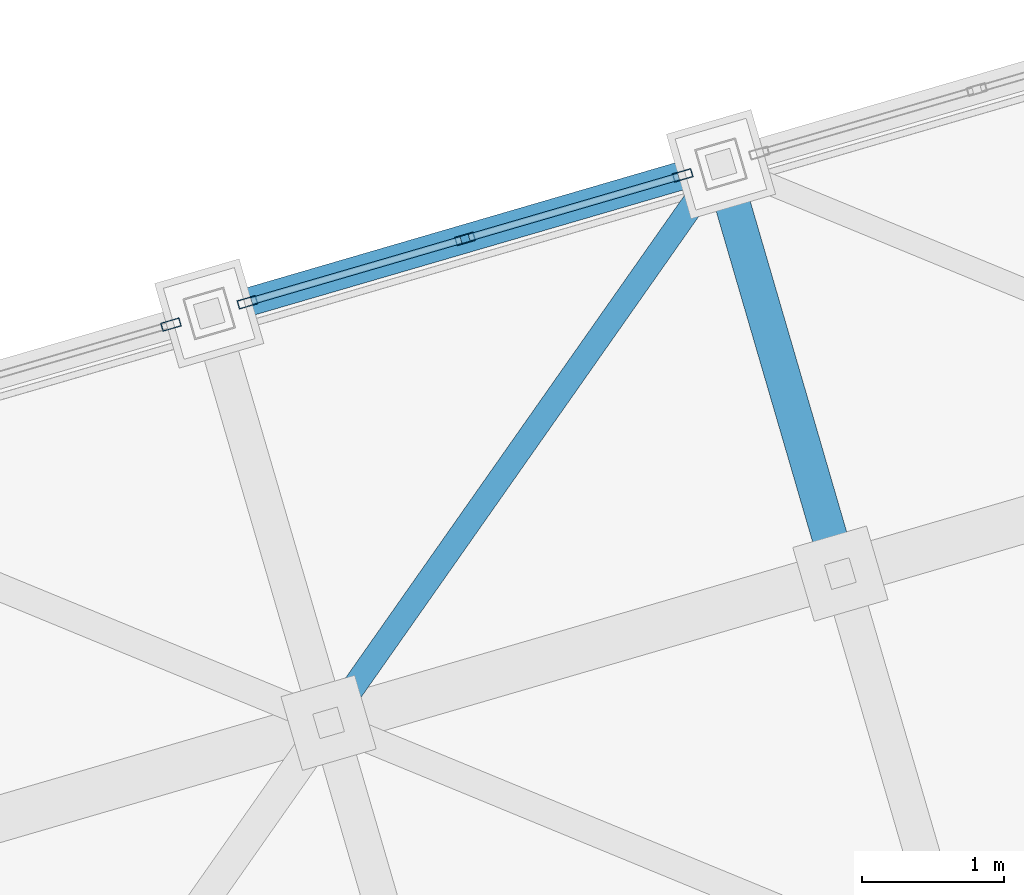
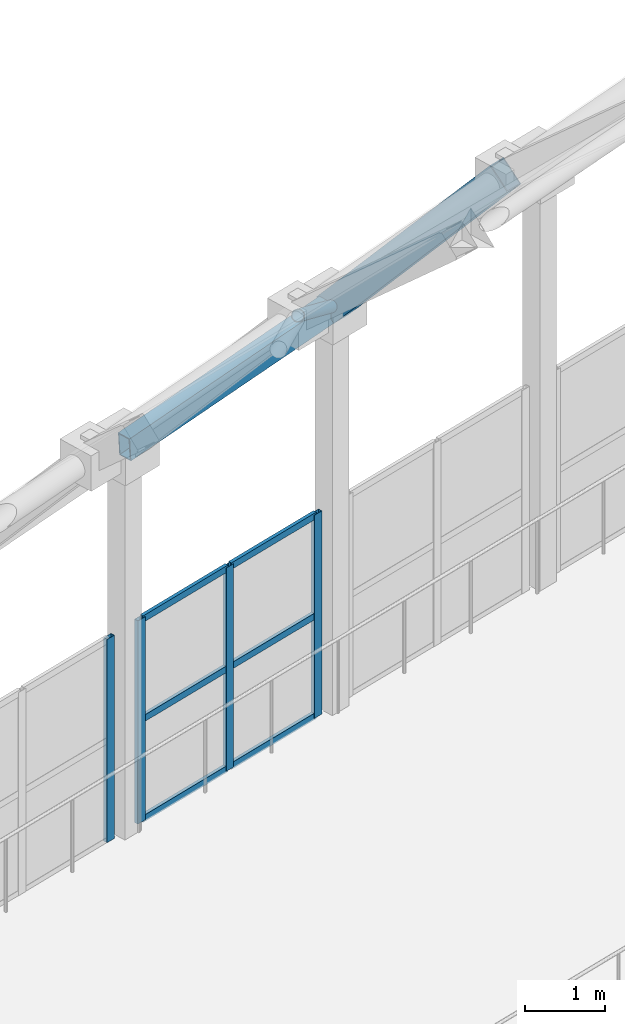
# One storey, part 117 of 248: 11 members, 2 beams, 2 elements without a shape of their own.
"""IFC4 building model written with IfcOpenShell, lengths in metres."""

from ifc_helpers import new_model, si_unit, direction, frame, origin, origin_2d, place, context, subcontext, project, spatial, hollow_rectangle, hollow_circle, extrude, material, layer, layer_set, material_profile, profile_set, type_object, element, aggregate, save


model = new_model("IFC4")

# Units and contexts
model_context = context("Model", 3, precision=1e-05, world=origin(), true_north=direction((0.0, 1.0)))
body_context = subcontext(model_context, "Body", "Model", "MODEL_VIEW")
ifc_project = project(units=[si_unit("LENGTHUNIT", "METRE"), si_unit("AREAUNIT", "SQUARE_METRE"), si_unit("VOLUMEUNIT", "CUBIC_METRE"), si_unit("PLANEANGLEUNIT", "RADIAN"), si_unit("MASSUNIT", "GRAM", prefix="KILO")], contexts=[model_context])

# Site, building, storey
site_placement = place(None, origin())
site = spatial("IfcSite", under=ifc_project, at=site_placement, CompositionType="ELEMENT")
building_placement = place(site_placement, origin())
building = spatial("IfcBuilding", under=site, at=building_placement, Name="Canggui Botanical Conservatory", CompositionType="ELEMENT")
storey_placement = place(building_placement, frame((0.0, 0.0, 5.39990234375)))
storey = spatial("IfcBuildingStorey", under=building, at=storey_placement, Name="L02", CompositionType="ELEMENT", Elevation=5.39990234375)

# Beams
ifc_material_1 = material(Name="Steel Q355C", Category="steel")
ifc_material_profile_1 = material_profile(ifc_material_1, hollow_rectangle(XDim=0.25, YDim=0.39990234375, WallThickness=0.013916015625, at=origin_2d()), Name="RHS 250x400x14")
ifc_profile_set_1 = profile_set([ifc_material_profile_1], Name="Steel Q355C")
beam_type_1 = type_object("IfcBeamType", Name="BM-GJ03", PredefinedType="BEAM", material=ifc_profile_set_1)
beam_1_placement = place(storey_placement, frame((48.43994140625, 78.419921875, 9.55615234375), z_axis=(-0.183510350266, 0.62932314014, -0.755166429755), x_axis=(-0.960017315421, -0.279940626011, 0.0)))
element("IfcBeam", 1, at=beam_1_placement, inside=storey, type_object=beam_type_1, Name="Conservatory Stepped-Arch Rib GJ-11 Segment 10", PredefinedType="BEAM", context=body_context, shape_type="SweptSolid", body=[
    extrude(hollow_rectangle(XDim=0.25, YDim=0.39990234375, WallThickness=0.013916015625, at=origin_2d()), origin(), (0.0, 0.0, 1.0), 4.57666015625),
])
ifc_material_profile_2 = material_profile(ifc_material_1, hollow_rectangle(XDim=0.199951171875, YDim=0.35009765625, WallThickness=0.011962890625, at=origin_2d()), Name="RHS 200x350x12")
ifc_profile_set_2 = profile_set([ifc_material_profile_2], Name="Steel Q355C")
beam_type_2 = type_object("IfcBeamType", Name="BM-RING01", PredefinedType="BEAM", material=ifc_profile_set_2)
beam_2_placement = place(storey_placement, frame((44.0, 80.25, 5.85009765625), z_axis=(0.957872417874, 0.27938486839, 0.066517113516), x_axis=(-0.280004999853, 0.959998541695, 0.0)))
element("IfcBeam", 2, at=beam_2_placement, inside=storey, type_object=beam_type_2, Name="Conservatory Perimeter Ring Beam V1-10", PredefinedType="BEAM", context=body_context, shape_type="SweptSolid", body=[
    extrude(hollow_rectangle(XDim=0.199951171875, YDim=0.35009765625, WallThickness=0.011962890625, at=origin_2d()), origin(), (0.0, 0.0, 1.0), 3.758544921875),
])

# Curtain wall, member
ifc_material_2 = material(Name="Thermally Broken Aluminium", Category="aluminium")
ifc_layer = layer(ifc_material_2, 0.135009765625, Name="Thermally Broken Aluminium", Category="aluminium")
ifc_layer_set = layer_set([ifc_layer], Name="Thermally Broken Aluminium")
curtain_wall_type = type_object("IfcCurtainWallType", Name="CW-STICK-A", PredefinedType="USERDEFINED", material=ifc_layer_set)
curtain_wall_1_placement = place(storey_placement, origin())
curtain_wall_1 = element("IfcCurtainWall", 3, at=curtain_wall_1_placement, inside=storey, type_object=curtain_wall_type, Name="Facade Curtain Wall CW-CONS-L02-V1-09", ObjectType="STICK GLAZED WALL", PredefinedType="USERDEFINED")
ifc_material_profile_3 = material_profile(ifc_material_2, hollow_rectangle(XDim=0.06005859375, YDim=0.135009765625, WallThickness=0.00341796875, at=origin_2d()), Name="CWM 60x135x3.5")
ifc_profile_set_3 = profile_set([ifc_material_profile_3], Name="Thermally Broken Aluminium")
member_type_1 = type_object("IfcMemberType", Name="CWM-04", PredefinedType="MULLION", material=ifc_profile_set_3)
member_1_placement = place(storey_placement, frame((43.731201171875, 80.171630859375, 0.0), z_axis=(0.0, 0.0, 1.0), x_axis=(-0.279999999995, 0.960000000002, 0.0)))
member_1 = element("IfcMember", 4, at=member_1_placement, type_object=member_type_1, Name="CW-04 mullion 3", PredefinedType="MULLION", context=body_context, shape_type="SweptSolid", body=[
    extrude(hollow_rectangle(XDim=0.06005859375, YDim=0.135009765625, WallThickness=0.00341796875, at=origin_2d()), origin(), (0.0, 0.0, 1.0), 3.10009765625),
])
aggregate(curtain_wall_1, [member_1])

# Curtain wall, members
curtain_wall_2_placement = place(storey_placement, origin())
curtain_wall_2 = element("IfcCurtainWall", 5, at=curtain_wall_2_placement, inside=storey, type_object=curtain_wall_type, Name="Facade Curtain Wall CW-CONS-L02-V1-10", ObjectType="STICK GLAZED WALL", PredefinedType="USERDEFINED")
member_2_placement = place(storey_placement, frame((44.268798828125, 80.328369140625, 0.0), z_axis=(0.0, 0.0, 1.0), x_axis=(-0.279999999995, 0.960000000002, 0.0)))
member_2 = element("IfcMember", 6, at=member_2_placement, type_object=member_type_1, Name="CW-04 mullion 1", PredefinedType="MULLION", context=body_context, shape_type="SweptSolid", body=[
    extrude(hollow_rectangle(XDim=0.06005859375, YDim=0.135009765625, WallThickness=0.00341796875, at=origin_2d()), origin(), (0.0, 0.0, 1.0), 3.10009765625),
])
member_3_placement = place(storey_placement, frame((45.800048828125, 80.77490234375, 0.0), z_axis=(0.0, 0.0, 1.0), x_axis=(-0.279999999995, 0.960000000002, 0.0)))
member_3 = element("IfcMember", 7, at=member_3_placement, type_object=member_type_1, Name="CW-04 mullion 2", PredefinedType="MULLION", context=body_context, shape_type="SweptSolid", body=[
    extrude(hollow_rectangle(XDim=0.06005859375, YDim=0.135009765625, WallThickness=0.00341796875, at=origin_2d()), origin(), (0.0, 0.0, 1.0), 3.10009765625),
])
member_4_placement = place(storey_placement, frame((47.331298828125, 81.2216796875, 0.0), z_axis=(0.0, 0.0, 1.0), x_axis=(-0.279999999995, 0.960000000002, 0.0)))
member_4 = element("IfcMember", 8, at=member_4_placement, type_object=member_type_1, Name="CW-04 mullion 3", PredefinedType="MULLION", context=body_context, shape_type="SweptSolid", body=[
    extrude(hollow_rectangle(XDim=0.06005859375, YDim=0.135009765625, WallThickness=0.00341796875, at=origin_2d()), origin(), (0.0, 0.0, 1.0), 3.10009765625),
])
ifc_material_profile_4 = material_profile(ifc_material_2, hollow_rectangle(XDim=0.050048828125, YDim=0.10009765625, WallThickness=0.0029296875, at=origin_2d()), Name="CWT 50x100x3")
ifc_profile_set_4 = profile_set([ifc_material_profile_4], Name="Thermally Broken Aluminium")
member_type_2 = type_object("IfcMemberType", Name="CWT-04", PredefinedType="USERDEFINED", material=ifc_profile_set_4)
member_5_placement = place(storey_placement, frame((44.297607421875, 80.3369140625, 0.025146484375), z_axis=(0.960021373424, 0.279926709282, 0.0), x_axis=(-0.279926709282, 0.960021373424, 0.0)))
member_5 = element("IfcMember", 9, at=member_5_placement, type_object=member_type_2, Name="CW-04 transom 1.1", ObjectType="TRANSOM", PredefinedType="USERDEFINED", context=body_context, shape_type="SweptSolid", body=[
    extrude(hollow_rectangle(XDim=0.050048828125, YDim=0.10009765625, WallThickness=0.0029296875, at=origin_2d()), origin(), (0.0, 0.0, 1.0), 1.534912109375),
])
member_6_placement = place(storey_placement, frame((44.297607421875, 80.3369140625, 1.550048828125), z_axis=(0.960021373424, 0.279926709282, 0.0), x_axis=(-0.279926709282, 0.960021373424, 0.0)))
member_6 = element("IfcMember", 10, at=member_6_placement, type_object=member_type_2, Name="CW-04 transom 1.2", ObjectType="TRANSOM", PredefinedType="USERDEFINED", context=body_context, shape_type="SweptSolid", body=[
    extrude(hollow_rectangle(XDim=0.050048828125, YDim=0.10009765625, WallThickness=0.0029296875, at=origin_2d()), origin(), (0.0, 0.0, 1.0), 1.534912109375),
])
member_7_placement = place(storey_placement, frame((44.297607421875, 80.3369140625, 3.0751953125), z_axis=(0.960021373424, 0.279926709282, 0.0), x_axis=(-0.279926709282, 0.960021373424, 0.0)))
member_7 = element("IfcMember", 11, at=member_7_placement, type_object=member_type_2, Name="CW-04 transom 1.3", ObjectType="TRANSOM", PredefinedType="USERDEFINED", context=body_context, shape_type="SweptSolid", body=[
    extrude(hollow_rectangle(XDim=0.050048828125, YDim=0.10009765625, WallThickness=0.0029296875, at=origin_2d()), origin(), (0.0, 0.0, 1.0), 1.534912109375),
])
member_8_placement = place(storey_placement, frame((45.828857421875, 80.783447265625, 0.025146484375), z_axis=(0.960021373424, 0.279926709282, 0.0), x_axis=(-0.279926709282, 0.960021373424, 0.0)))
member_8 = element("IfcMember", 12, at=member_8_placement, type_object=member_type_2, Name="CW-04 transom 2.1", ObjectType="TRANSOM", PredefinedType="USERDEFINED", context=body_context, shape_type="SweptSolid", body=[
    extrude(hollow_rectangle(XDim=0.050048828125, YDim=0.10009765625, WallThickness=0.0029296875, at=origin_2d()), origin(), (0.0, 0.0, 1.0), 1.534912109375),
])
member_9_placement = place(storey_placement, frame((45.828857421875, 80.783447265625, 1.550048828125), z_axis=(0.960021373424, 0.279926709282, 0.0), x_axis=(-0.279926709282, 0.960021373424, 0.0)))
member_9 = element("IfcMember", 13, at=member_9_placement, type_object=member_type_2, Name="CW-04 transom 2.2", ObjectType="TRANSOM", PredefinedType="USERDEFINED", context=body_context, shape_type="SweptSolid", body=[
    extrude(hollow_rectangle(XDim=0.050048828125, YDim=0.10009765625, WallThickness=0.0029296875, at=origin_2d()), origin(), (0.0, 0.0, 1.0), 1.534912109375),
])
member_10_placement = place(storey_placement, frame((45.828857421875, 80.783447265625, 3.0751953125), z_axis=(0.960021373424, 0.279926709282, 0.0), x_axis=(-0.279926709282, 0.960021373424, 0.0)))
member_10 = element("IfcMember", 14, at=member_10_placement, type_object=member_type_2, Name="CW-04 transom 2.3", ObjectType="TRANSOM", PredefinedType="USERDEFINED", context=body_context, shape_type="SweptSolid", body=[
    extrude(hollow_rectangle(XDim=0.050048828125, YDim=0.10009765625, WallThickness=0.0029296875, at=origin_2d()), origin(), (0.0, 0.0, 1.0), 1.534912109375),
])
aggregate(curtain_wall_2, [member_2, member_3, member_4, member_5, member_6, member_7, member_8, member_9, member_10])

# Member
ifc_material_profile_5 = material_profile(ifc_material_1, hollow_circle(Radius=0.083984375, WallThickness=0.008056640625, at=origin_2d()), Name="CHS 168x8")
ifc_profile_set_5 = profile_set([ifc_material_profile_5], Name="Steel Q355C")
member_type_3 = type_object("IfcMemberType", Name="MEM-GSD03", PredefinedType="RAFTER", material=ifc_profile_set_5)
member_11_placement = place(storey_placement, frame((44.840087890625, 77.3701171875, 9.30615234375), z_axis=(0.477994158586, 0.680607870035, -0.555242750159), x_axis=(-0.818344854073, 0.574727500484, 0.0)))
element("IfcMember", 15, at=member_11_placement, inside=storey, type_object=member_type_3, Name="Conservatory Gridshell Diagrid Rafter 10-10", PredefinedType="RAFTER", context=body_context, shape_type="SweptSolid", body=[
    extrude(hollow_circle(Radius=0.083984375, WallThickness=0.008056640625, at=origin_2d()), origin(), (0.0, 0.0, 1.0), 5.774169921875),
])

save(model, "model.ifc")
